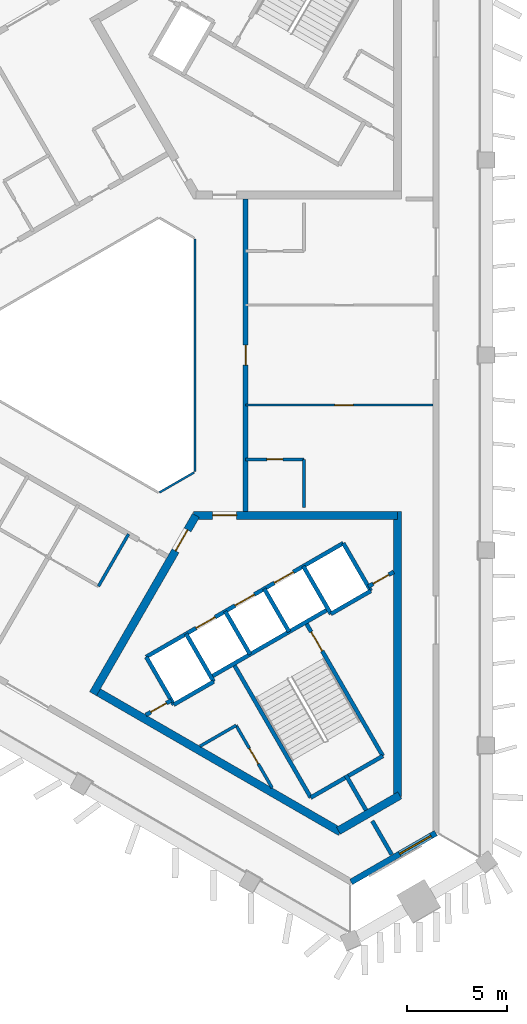
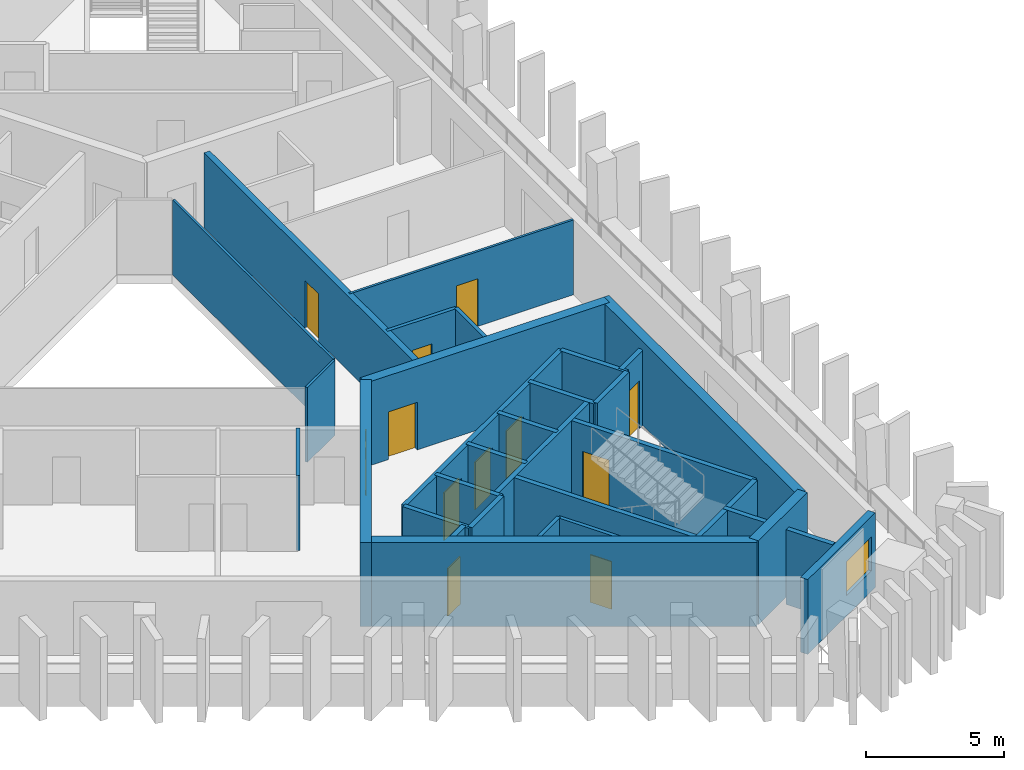
# One storey, part 3 of 9: 32 walls, 12 doors, 1 window, 13 openings.
"""IFC4 building model written with IfcOpenShell, lengths in metres."""

from ifc_helpers import new_model, si_unit, direction, frame, frame_2d, origin, place, context, subcontext, project, spatial, rectangle, extrude, material, layer, layer_set, type_object, element, fill, save


model = new_model("IFC4")

# Units and contexts
model_context = context("Model", 3, precision=1e-05, world=origin(), true_north=direction((0.0, 1.0)))
body_context = subcontext(model_context, "Body", "Model", "MODEL_VIEW")
ifc_project = project(units=[si_unit("LENGTHUNIT", "METRE"), si_unit("AREAUNIT", "SQUARE_METRE"), si_unit("VOLUMEUNIT", "CUBIC_METRE"), si_unit("PLANEANGLEUNIT", "RADIAN"), si_unit("MASSUNIT", "GRAM", prefix="KILO")], contexts=[model_context])

# Site, building, storey
site_placement = place(None, origin())
site = spatial("IfcSite", under=ifc_project, at=site_placement, CompositionType="ELEMENT")
building_placement = place(site_placement, origin())
building = spatial("IfcBuilding", under=site, at=building_placement, Name="Jabali Bay Hotel Tower and Convention Centre", CompositionType="ELEMENT")
storey_placement = place(building_placement, frame((0.0, 0.0, 273.800048828125)))
storey = spatial("IfcBuildingStorey", under=building, at=storey_placement, Name="L67", CompositionType="ELEMENT", Elevation=273.800048828125)

# Walls
ifc_material_1 = material(Name="Fire-resistant glazing", Category="glass")
ifc_layer_1 = layer(ifc_material_1, 0.10009765625)
ifc_layer_set_1 = layer_set([ifc_layer_1], Name="Fire-resistant glazing")
wall_type_1 = type_object("IfcWallType", Name="Atrium glazed screen 100", PredefinedType="PARTITIONING", material=ifc_layer_set_1)
wall_1_placement = place(storey_placement, frame((79.56005859375, 74.205810546875, 0.0), z_axis=(0.0, 0.0, 1.0), x_axis=(0.0, 1.0, 0.0)))
element("IfcWall", 1, at=wall_1_placement, inside=storey, type_object=wall_type_1, Name="Atrium screen 1 L67", PredefinedType="PARTITIONING", context=body_context, shape_type="SweptSolid", body=[
    extrude(rectangle(XDim=11.58837890625, YDim=0.10009765625, at=frame_2d((5.794189453125, 0.0))), origin(), (0.0, 0.0, 1.0), 3.300048828125),
])
wall_2_placement = place(storey_placement, frame((77.7978515625, 73.15380859375, 0.0), z_axis=(0.0, 0.0, 1.0), x_axis=(0.866041268327, 0.499972520799, 0.0)))
element("IfcWall", 2, at=wall_2_placement, inside=storey, type_object=wall_type_1, Name="Atrium screen 6 L67", PredefinedType="PARTITIONING", context=body_context, shape_type="SweptSolid", body=[
    extrude(rectangle(XDim=2.0, YDim=0.10009765625, at=frame_2d((1.0, 0.0))), origin(), (0.0, 0.0, 1.0), 3.300048828125),
])
ifc_material_2 = material(Name="Concrete C40", Category="concrete")
ifc_layer_2 = layer(ifc_material_2, 0.199951171875)
ifc_layer_set_2 = layer_set([ifc_layer_2], Name="Concrete C40")
wall_type_2 = type_object("IfcWallType", Name="Core partition wall 200", PredefinedType="PARTITIONING", material=ifc_layer_set_2)
wall_3_placement = place(storey_placement, frame((87.090087890625, 59.0595703125, 0.0), z_axis=(0.0, 0.0, 1.0), x_axis=(0.499941815747, -0.866058993873, 0.0)))
element("IfcWall", 3, at=wall_3_placement, inside=storey, type_object=wall_type_2, Name="Core wall 2.5 L67", PredefinedType="PARTITIONING", context=body_context, shape_type="SweptSolid", body=[
    extrude(rectangle(XDim=2.023193359375, YDim=0.199951171875, at=frame_2d((1.01171875, 0.0))), origin(), (0.0, 0.0, 1.0), 3.300048828125),
])

# Wall, opening, door
wall_4_placement = place(storey_placement, frame((77.119873046875, 62.055908203125, 0.0), z_axis=(0.0, 0.0, 1.0), x_axis=(0.866054810376, 0.49994906283, 0.0)))
wall_4 = element("IfcWall", 4, at=wall_4_placement, inside=storey, type_object=wall_type_2, Name="Core wall 2.12 L67", PredefinedType="PARTITIONING", context=body_context, shape_type="SweptSolid", body=[
    extrude(rectangle(XDim=1.461181640625, YDim=0.199951171875, at=frame_2d((0.73046875, 0.0))), origin(), (0.0, 0.0, 1.0), 3.300048828125),
])
opening_1_placement = place(wall_4_placement, frame((0.280517578125, 0.0, 0.0)))
opening_1 = element("IfcOpeningElement", 5, at=opening_1_placement, cuts=wall_4, Name="Opening D1488", PredefinedType="OPENING", context=body_context, shape_type="SweptSolid", body=[
    extrude(rectangle(XDim=0.89990234375, YDim=2.10009765625, at=frame_2d((0.449951171875, 1.050048828125))), frame((0.0, 0.1103515625, 0.0), z_axis=(0.0, -1.0, 0.0), x_axis=(1.0, 0.0, 0.0)), (0.0, 0.0, 1.0), 0.220947265625),
])
ifc_material_3 = material(Name="Fire-rated steel door", Category="steel")
door_type_1 = type_object("IfcDoorType", Name="Vestibule fire door 900 x 2100", OperationType="NOTDEFINED", PredefinedType="NOTDEFINED", material=ifc_material_3)
door_1_placement = place(opening_1_placement, origin())
door_1 = element("IfcDoor", 6, at=door_1_placement, inside=storey, type_object=door_type_1, Name="Vestibule fire door D1488", OperationType="SINGLE_SWING_LEFT", OverallHeight=2.10009765625, OverallWidth=0.89990234375, PredefinedType="NOTDEFINED", context=body_context, shape_type="SweptSolid", body=[
    extrude(rectangle(XDim=0.89990234375, YDim=2.10009765625, at=frame_2d((0.449951171875, 1.050048828125))), frame((0.0, 0.02490234375, 0.0), z_axis=(0.0, -1.0, 0.0), x_axis=(1.0, 0.0, 0.0)), (0.0, 0.0, 1.0), 0.050048828125),
])
fill(opening_1, door_1)

wall_5_placement = place(storey_placement, frame((88.214599609375, 68.46142578125, 0.0), z_axis=(0.0, 0.0, 1.0), x_axis=(0.865982457891, 0.500074377092, 0.0)))
wall_5 = element("IfcWall", 7, at=wall_5_placement, inside=storey, type_object=wall_type_2, Name="Core wall 2.13 L67", PredefinedType="PARTITIONING", context=body_context, shape_type="SweptSolid", body=[
    extrude(rectangle(XDim=1.461181640625, YDim=0.199951171875, at=frame_2d((0.73046875, 0.0))), origin(), (0.0, 0.0, 1.0), 3.300048828125),
])
opening_2_placement = place(wall_5_placement, frame((0.280517578125, 0.0, 0.0)))
opening_2 = element("IfcOpeningElement", 8, at=opening_2_placement, cuts=wall_5, Name="Opening D1487", PredefinedType="OPENING", context=body_context, shape_type="SweptSolid", body=[
    extrude(rectangle(XDim=0.89990234375, YDim=2.10009765625, at=frame_2d((0.449951171875, 1.050048828125))), frame((0.0, 0.1103515625, 0.0), z_axis=(0.0, -1.0, 0.0), x_axis=(1.0, 0.0, 0.0)), (0.0, 0.0, 1.0), 0.220947265625),
])
door_2_placement = place(opening_2_placement, origin())
door_2 = element("IfcDoor", 9, at=door_2_placement, inside=storey, type_object=door_type_1, Name="Vestibule fire door D1487", OperationType="SINGLE_SWING_LEFT", OverallHeight=2.10009765625, OverallWidth=0.89990234375, PredefinedType="NOTDEFINED", context=body_context, shape_type="SweptSolid", body=[
    extrude(rectangle(XDim=0.89990234375, YDim=2.10009765625, at=frame_2d((0.449951171875, 1.050048828125))), frame((0.0, 0.02490234375, 0.0), z_axis=(0.0, -1.0, 0.0), x_axis=(1.0, 0.0, 0.0)), (0.0, 0.0, 1.0), 0.050048828125),
])
fill(opening_2, door_2)

ifc_material_4 = material(Name="Fire-rated board partition")
ifc_layer_3 = layer(ifc_material_4, 0.14990234375)
ifc_layer_set_3 = layer_set([ifc_layer_3], Name="Fire-rated board partition")
wall_type_3 = type_object("IfcWallType", Name="Core room partition 150", PredefinedType="PARTITIONING", material=ifc_layer_set_3)
wall_6_placement = place(storey_placement, frame((81.618896484375, 61.53564453125, 0.0), z_axis=(0.0, 0.0, 1.0), x_axis=(0.499992664208, -0.866029639064, 0.0)))
wall_6 = element("IfcWall", 10, at=wall_6_placement, inside=storey, type_object=wall_type_3, Name="Core wall 2.1 L67", PredefinedType="PARTITIONING", context=body_context, shape_type="SweptSolid", body=[
    extrude(rectangle(XDim=3.59765625, YDim=0.14990234375, at=frame_2d((1.798828125, 0.0))), origin(), (0.0, 0.0, 1.0), 3.300048828125),
])
opening_3_placement = place(wall_6_placement, frame((1.321533203125, 0.0, 0.0)))
opening_3 = element("IfcOpeningElement", 11, at=opening_3_placement, cuts=wall_6, Name="Opening D1490", PredefinedType="OPENING", context=body_context, shape_type="SweptSolid", body=[
    extrude(rectangle(XDim=0.89990234375, YDim=2.10009765625, at=frame_2d((0.449951171875, 1.050048828125))), frame((0.0, 0.08544921875, 0.0), z_axis=(0.0, -1.0, 0.0), x_axis=(1.0, 0.0, 0.0)), (0.0, 0.0, 1.0), 0.1708984375),
])
door_type_2 = type_object("IfcDoorType", Name="Core room door 900 x 2100", OperationType="NOTDEFINED", PredefinedType="NOTDEFINED", material=ifc_material_3)
door_3_placement = place(opening_3_placement, origin())
door_3 = element("IfcDoor", 12, at=door_3_placement, inside=storey, type_object=door_type_2, Name="Core room door D1490", OperationType="SINGLE_SWING_LEFT", OverallHeight=2.10009765625, OverallWidth=0.89990234375, PredefinedType="NOTDEFINED", context=body_context, shape_type="SweptSolid", body=[
    extrude(rectangle(XDim=0.89990234375, YDim=2.10009765625, at=frame_2d((0.449951171875, 1.050048828125))), frame((0.0, 0.02490234375, 0.0), z_axis=(0.0, -1.0, 0.0), x_axis=(1.0, 0.0, 0.0)), (0.0, 0.0, 1.0), 0.050048828125),
])
fill(opening_3, door_3)

# Walls
wall_7_placement = place(storey_placement, frame((79.820068359375, 60.4970703125, 0.0), z_axis=(0.0, 0.0, 1.0), x_axis=(0.866021168401, 0.500007335828, 0.0)))
element("IfcWall", 13, at=wall_7_placement, inside=storey, type_object=wall_type_3, Name="Core wall 2.16 L67", PredefinedType="PARTITIONING", context=body_context, shape_type="SweptSolid", body=[
    extrude(rectangle(XDim=2.0771484375, YDim=0.14990234375, at=frame_2d((1.03857421875, 0.0))), origin(), (0.0, 0.0, 1.0), 3.300048828125),
])
ifc_layer_4 = layer(ifc_material_2, 0.199951171875)
ifc_layer_set_4 = layer_set([ifc_layer_4], Name="Concrete C40")
wall_type_4 = type_object("IfcWallType", Name="Core stair wall 200", PredefinedType="SOLIDWALL", material=ifc_layer_set_4)
for number, where, z_axis, x_axis, name in (
    (14, (77.13525390625, 64.95166015625, 0.0), (0.0, 0.0, 1.0), (0.499996545922, -0.866027397988, 0.0), "Core wall 2.0 L67"),
    (15, (79.127197265625, 66.1015625, 0.0), (0.0, 0.0, 1.0), (0.499996545922, -0.866027397988, 0.0), "Core wall 2.2 L67"),
):
    element("IfcWall", number, at=place(storey_placement, frame(where, z_axis=z_axis, x_axis=x_axis)), inside=storey, type_object=wall_type_4, Name=name, PredefinedType="SOLIDWALL", context=body_context, shape_type="SweptSolid", body=[
        extrude(rectangle(XDim=2.75, YDim=0.199951171875, at=frame_2d((1.375, 0.0))), origin(), (0.0, 0.0, 1.0), 3.300048828125),
    ])
wall_8_placement = place(storey_placement, frame((81.492919921875, 64.603759765625, 0.0), z_axis=(0.0, 0.0, 1.0), x_axis=(0.500006057782, -0.866021906294, 0.0)))
element("IfcWall", 16, at=wall_8_placement, inside=storey, type_object=wall_type_4, Name="Core wall 2.3 L67", PredefinedType="SOLIDWALL", context=body_context, shape_type="SweptSolid", body=[
    extrude(rectangle(XDim=7.7001953125, YDim=0.199951171875, at=frame_2d((3.85009765625, 0.0))), origin(), (0.0, 0.0, 1.0), 3.300048828125),
])
for number, where, z_axis, x_axis, name in (
    (17, (81.07568359375, 67.2265625, 0.0), (0.0, 0.0, 1.0), (0.50000366821, -0.866023285932, 0.0), "Core wall 2.4 L67"),
    (18, (83.024169921875, 68.3515625, 0.0), (0.0, 0.0, 1.0), (0.50000366821, -0.866023285932, 0.0), "Core wall 2.6 L67"),
):
    element("IfcWall", number, at=place(storey_placement, frame(where, z_axis=z_axis, x_axis=x_axis)), inside=storey, type_object=wall_type_4, Name=name, PredefinedType="SOLIDWALL", context=body_context, shape_type="SweptSolid", body=[
        extrude(rectangle(XDim=2.47998046875, YDim=0.199951171875, at=frame_2d((1.239990234375, 0.0))), origin(), (0.0, 0.0, 1.0), 3.300048828125),
    ])

# Wall, opening, door
wall_9_placement = place(storey_placement, frame((85.0869140625, 66.6787109375, 0.0), z_axis=(0.0, 0.0, 1.0), x_axis=(0.500019787375, -0.866013979237, 0.0)))
wall_9 = element("IfcWall", 19, at=wall_9_placement, inside=storey, type_object=wall_type_4, Name="Core wall 2.7 L67", PredefinedType="SOLIDWALL", context=body_context, shape_type="SweptSolid", body=[
    extrude(rectangle(XDim=7.699951171875, YDim=0.199951171875, at=frame_2d((3.85009765625, 0.0))), origin(), (0.0, 0.0, 1.0), 3.300048828125),
])
opening_4_placement = place(wall_9_placement, frame((0.550048828125, 0.0, 0.0)))
opening_4 = element("IfcOpeningElement", 20, at=opening_4_placement, cuts=wall_9, Name="Opening D1489", PredefinedType="OPENING", context=body_context, shape_type="SweptSolid", body=[
    extrude(rectangle(XDim=1.10009765625, YDim=2.10009765625, at=frame_2d((0.550048828125, 1.050048828125))), frame((0.0, 0.1103515625, 0.0), z_axis=(0.0, -1.0, 0.0), x_axis=(1.0, 0.0, 0.0)), (0.0, 0.0, 1.0), 0.220947265625),
])
door_type_3 = type_object("IfcDoorType", Name="Stair fire door 1100 x 2100", OperationType="NOTDEFINED", PredefinedType="NOTDEFINED", material=ifc_material_3)
door_4_placement = place(opening_4_placement, origin())
door_4 = element("IfcDoor", 21, at=door_4_placement, inside=storey, type_object=door_type_3, Name="Stair fire door D1489", OperationType="SINGLE_SWING_RIGHT", OverallHeight=2.10009765625, OverallWidth=1.10009765625, PredefinedType="NOTDEFINED", context=body_context, shape_type="SweptSolid", body=[
    extrude(rectangle(XDim=1.10009765625, YDim=2.10009765625, at=frame_2d((0.550048828125, 1.050048828125))), frame((0.0, 0.02490234375, 0.0), z_axis=(0.0, -1.0, 0.0), x_axis=(1.0, 0.0, 0.0)), (0.0, 0.0, 1.0), 0.050048828125),
])
fill(opening_4, door_4)

# Walls
for number, where, z_axis, x_axis, name in (
    (22, (84.972900390625, 69.4765625, 0.0), (0.0, 0.0, 1.0), (0.499996545922, -0.866027397988, 0.0), "Core wall 2.8 L67"),
    (23, (86.964599609375, 70.62646484375, 0.0), (0.0, 0.0, 1.0), (0.499996545922, -0.866027397988, 0.0), "Core wall 2.9 L67"),
):
    element("IfcWall", number, at=place(storey_placement, frame(where, z_axis=z_axis, x_axis=x_axis)), inside=storey, type_object=wall_type_4, Name=name, PredefinedType="SOLIDWALL", context=body_context, shape_type="SweptSolid", body=[
        extrude(rectangle(XDim=2.75, YDim=0.199951171875, at=frame_2d((1.375, 0.0))), origin(), (0.0, 0.0, 1.0), 3.300048828125),
    ])

# Wall, openings, doors
wall_10_placement = place(storey_placement, frame((77.13525390625, 64.95166015625, 0.0), z_axis=(0.0, 0.0, 1.0), x_axis=(0.866031916153, 0.499988720078, 0.0)))
wall_10 = element("IfcWall", 24, at=wall_10_placement, inside=storey, type_object=wall_type_4, Name="Core wall 2.10 L67", PredefinedType="SOLIDWALL", context=body_context, shape_type="SweptSolid", body=[
    extrude(rectangle(XDim=11.349853515625, YDim=0.199951171875, at=frame_2d((5.6748046875, 0.0))), origin(), (0.0, 0.0, 1.0), 3.300048828125),
])
opening_5_placement = place(wall_10_placement, frame((2.875, 0.0, 0.0)))
opening_5 = element("IfcOpeningElement", 25, at=opening_5_placement, cuts=wall_10, Name="Opening LD12-L67", PredefinedType="OPENING", context=body_context, shape_type="SweptSolid", body=[
    extrude(rectangle(XDim=1.10009765625, YDim=2.10009765625, at=frame_2d((0.550048828125, 1.050048828125))), frame((0.0, 0.1103515625, 0.0), z_axis=(0.0, -1.0, 0.0), x_axis=(1.0, 0.0, 0.0)), (0.0, 0.0, 1.0), 0.220947265625),
])
opening_6_placement = place(wall_10_placement, frame((5.125, 0.0, 0.0)))
opening_6 = element("IfcOpeningElement", 26, at=opening_6_placement, cuts=wall_10, Name="Opening LD13-L67", PredefinedType="OPENING", context=body_context, shape_type="SweptSolid", body=[
    extrude(rectangle(XDim=1.10009765625, YDim=2.10009765625, at=frame_2d((0.550048828125, 1.050048828125))), frame((0.0, 0.1103515625, 0.0), z_axis=(0.0, -1.0, 0.0), x_axis=(1.0, 0.0, 0.0)), (0.0, 0.0, 1.0), 0.220947265625),
])
opening_7_placement = place(wall_10_placement, frame((7.375, 0.0, 0.0)))
opening_7 = element("IfcOpeningElement", 27, at=opening_7_placement, cuts=wall_10, Name="Opening LD14-L67", PredefinedType="OPENING", context=body_context, shape_type="SweptSolid", body=[
    extrude(rectangle(XDim=1.10009765625, YDim=2.10009765625, at=frame_2d((0.550048828125, 1.050048828125))), frame((0.0, 0.1103515625, 0.0), z_axis=(0.0, -1.0, 0.0), x_axis=(1.0, 0.0, 0.0)), (0.0, 0.0, 1.0), 0.220947265625),
])
ifc_material_5 = material(Name="Stainless steel landing door", Category="steel")
door_type_4 = type_object("IfcDoorType", Name="Landing door 1100 x 2100", OperationType="NOTDEFINED", PredefinedType="NOTDEFINED", material=ifc_material_5)
door_5_placement = place(opening_5_placement, origin())
door_5 = element("IfcDoor", 28, at=door_5_placement, inside=storey, type_object=door_type_4, Name="Landing doors LD12-L67", OperationType="SLIDING_TO_LEFT", OverallHeight=2.10009765625, OverallWidth=1.10009765625, PredefinedType="NOTDEFINED", context=body_context, shape_type="SweptSolid", body=[
    extrude(rectangle(XDim=1.10009765625, YDim=2.10009765625, at=frame_2d((0.550048828125, 1.050048828125))), frame((0.0, 0.02490234375, 0.0), z_axis=(0.0, -1.0, 0.0), x_axis=(1.0, 0.0, 0.0)), (0.0, 0.0, 1.0), 0.050048828125),
])
fill(opening_5, door_5)
door_6_placement = place(opening_6_placement, origin())
door_6 = element("IfcDoor", 29, at=door_6_placement, inside=storey, type_object=door_type_4, Name="Landing doors LD13-L67", OperationType="SLIDING_TO_RIGHT", OverallHeight=2.10009765625, OverallWidth=1.10009765625, PredefinedType="NOTDEFINED", context=body_context, shape_type="SweptSolid", body=[
    extrude(rectangle(XDim=1.10009765625, YDim=2.10009765625, at=frame_2d((0.550048828125, 1.050048828125))), frame((0.0, 0.02490234375, 0.0), z_axis=(0.0, -1.0, 0.0), x_axis=(1.0, 0.0, 0.0)), (0.0, 0.0, 1.0), 0.050048828125),
])
fill(opening_6, door_6)
door_7_placement = place(opening_7_placement, origin())
door_7 = element("IfcDoor", 30, at=door_7_placement, inside=storey, type_object=door_type_4, Name="Landing doors LD14-L67", OperationType="SLIDING_TO_LEFT", OverallHeight=2.10009765625, OverallWidth=1.10009765625, PredefinedType="NOTDEFINED", context=body_context, shape_type="SweptSolid", body=[
    extrude(rectangle(XDim=1.10009765625, YDim=2.10009765625, at=frame_2d((0.550048828125, 1.050048828125))), frame((0.0, 0.02490234375, 0.0), z_axis=(0.0, -1.0, 0.0), x_axis=(1.0, 0.0, 0.0)), (0.0, 0.0, 1.0), 0.050048828125),
])
fill(opening_7, door_7)

# Walls
wall_11_placement = place(storey_placement, frame((80.3671875, 63.953857421875, 0.0), z_axis=(0.0, 0.0, 1.0), x_axis=(0.866026575979, 0.499997969693, 0.0)))
element("IfcWall", 31, at=wall_11_placement, inside=storey, type_object=wall_type_4, Name="Core wall 2.11 L67", PredefinedType="SOLIDWALL", context=body_context, shape_type="SweptSolid", body=[
    extrude(rectangle(XDim=6.75, YDim=0.199951171875, at=frame_2d((3.375, 0.0))), origin(), (0.0, 0.0, 1.0), 3.300048828125),
])
wall_12_placement = place(storey_placement, frame((78.51025390625, 62.570068359375, 0.0), z_axis=(0.0, 0.0, 1.0), x_axis=(0.866053019151, 0.499952165731, 0.0)))
element("IfcWall", 32, at=wall_12_placement, inside=storey, type_object=wall_type_4, Name="Core wall 2.14 L67", PredefinedType="SOLIDWALL", context=body_context, shape_type="SweptSolid", body=[
    extrude(rectangle(XDim=2.300048828125, YDim=0.199951171875, at=frame_2d((1.14990234375, 0.0))), origin(), (0.0, 0.0, 1.0), 3.300048828125),
])
wall_13_placement = place(storey_placement, frame((86.347900390625, 67.094970703125, 0.0), z_axis=(0.0, 0.0, 1.0), x_axis=(0.86602648383, 0.499998129301, 0.0)))
element("IfcWall", 33, at=wall_13_placement, inside=storey, type_object=wall_type_4, Name="Core wall 2.15 L67", PredefinedType="SOLIDWALL", context=body_context, shape_type="SweptSolid", body=[
    extrude(rectangle(XDim=2.2998046875, YDim=0.199951171875, at=frame_2d((1.14990234375, 0.0))), origin(), (0.0, 0.0, 1.0), 3.300048828125),
])
wall_14_placement = place(storey_placement, frame((85.343017578125, 57.935302734375, 0.0), z_axis=(0.0, 0.0, 1.0), x_axis=(0.866004344652, 0.500036473714, 0.0)))
element("IfcWall", 34, at=wall_14_placement, inside=storey, type_object=wall_type_4, Name="Core wall 2.17 L67", PredefinedType="SOLIDWALL", context=body_context, shape_type="SweptSolid", body=[
    extrude(rectangle(XDim=4.150146484375, YDim=0.199951171875, at=frame_2d((2.0751953125, 0.0))), origin(), (0.0, 0.0, 1.0), 3.300048828125),
])

# Wall, opening, door
ifc_material_6 = material(Name="Concrete C60", Category="concrete")
ifc_layer_5 = layer(ifc_material_6, 0.39990234375)
ifc_layer_set_5 = layer_set([ifc_layer_5], Name="Concrete C60")
wall_type_5 = type_object("IfcWallType", Name="Core wall 400", PredefinedType="SHEAR", material=ifc_layer_set_5)
wall_15_placement = place(storey_placement, frame((79.615478515625, 72.005859375, 0.0), z_axis=(0.0, 0.0, 1.0), x_axis=(-0.50000177223, -0.866024380585, 0.0)))
wall_15 = element("IfcWall", 35, at=wall_15_placement, inside=storey, type_object=wall_type_5, Name="Core wall 3.1 L67", PredefinedType="SHEAR", context=body_context, shape_type="SweptSolid", body=[
    extrude(rectangle(XDim=10.2646484375, YDim=0.39990234375, at=frame_2d((5.13232421875, 0.0))), origin(), (0.0, 0.0, 1.0), 3.699951171875),
])
opening_8_placement = place(wall_15_placement, frame((0.83447265625, 0.0, 0.0)))
opening_8 = element("IfcOpeningElement", 36, at=opening_8_placement, cuts=wall_15, Name="Opening D1485", PredefinedType="OPENING", context=body_context, shape_type="SweptSolid", body=[
    extrude(rectangle(XDim=1.199951171875, YDim=2.10009765625, at=frame_2d((0.60009765625, 1.050048828125))), frame((0.0, 0.21044921875, 0.0), z_axis=(0.0, -1.0, 0.0), x_axis=(1.0, 0.0, 0.0)), (0.0, 0.0, 1.0), 0.4208984375),
])
door_type_5 = type_object("IfcDoorType", Name="Corridor end fire door 1200 x 2100", OperationType="NOTDEFINED", PredefinedType="NOTDEFINED", material=ifc_material_3)
door_8_placement = place(opening_8_placement, origin())
door_8 = element("IfcDoor", 37, at=door_8_placement, inside=storey, type_object=door_type_5, Name="Corridor end fire door D1485", OperationType="SINGLE_SWING_RIGHT", OverallHeight=2.10009765625, OverallWidth=1.199951171875, PredefinedType="NOTDEFINED", context=body_context, shape_type="SweptSolid", body=[
    extrude(rectangle(XDim=1.199951171875, YDim=2.10009765625, at=frame_2d((0.60009765625, 1.050048828125))), frame((0.0, 0.02490234375, 0.0), z_axis=(0.0, -1.0, 0.0), x_axis=(1.0, 0.0, 0.0)), (0.0, 0.0, 1.0), 0.050048828125),
])
fill(opening_8, door_8)

# Walls
wall_16_placement = place(storey_placement, frame((74.583251953125, 63.28955078125, 0.0), z_axis=(0.0, 0.0, 1.0), x_axis=(0.866024494188, -0.500001575463, 0.0)))
element("IfcWall", 38, at=wall_16_placement, inside=storey, type_object=wall_type_5, Name="Core wall 3.2 L67", PredefinedType="SHEAR", context=body_context, shape_type="SweptSolid", body=[
    extrude(rectangle(XDim=14.13330078125, YDim=0.39990234375, at=frame_2d((7.066650390625, 0.0))), origin(), (0.0, 0.0, 1.0), 3.699951171875),
])
wall_17_placement = place(storey_placement, frame((86.72314453125, 56.28076171875, 0.0), z_axis=(0.0, 0.0, 1.0), x_axis=(0.866025485263, 0.499999858875, 0.0)))
element("IfcWall", 39, at=wall_17_placement, inside=storey, type_object=wall_type_5, Name="Core wall 3.3 L67", PredefinedType="SHEAR", context=body_context, shape_type="SweptSolid", body=[
    extrude(rectangle(XDim=3.52978515625, YDim=0.39990234375, at=frame_2d((1.764892578125, 0.0))), origin(), (0.0, 0.0, 1.0), 3.699951171875),
])
wall_18_placement = place(storey_placement, frame((89.679931640625, 57.98779296875, 0.0), z_axis=(0.0, 0.0, 1.0), x_axis=(0.0, 1.0, 0.0)))
element("IfcWall", 40, at=wall_18_placement, inside=storey, type_object=wall_type_5, Name="Core wall 3.4 L67", PredefinedType="SHEAR", context=body_context, shape_type="SweptSolid", body=[
    extrude(rectangle(XDim=14.218017578125, YDim=0.39990234375, at=frame_2d((7.10888671875, 0.0))), origin(), (0.0, 0.0, 1.0), 3.699951171875),
])

# Wall, opening, door
wall_19_placement = place(storey_placement, frame((89.679931640625, 72.005859375, 0.0), z_axis=(0.0, 0.0, 1.0), x_axis=(-1.0, 0.0, 0.0)))
wall_19 = element("IfcWall", 41, at=wall_19_placement, inside=storey, type_object=wall_type_5, Name="Core wall 3.5 L67", PredefinedType="SHEAR", context=body_context, shape_type="SweptSolid", body=[
    extrude(rectangle(XDim=10.179931640625, YDim=0.39990234375, at=frame_2d((5.08984375, 0.0))), origin(), (0.0, 0.0, 1.0), 3.699951171875),
])
opening_9_placement = place(wall_19_placement, frame((8.030029296875, 0.0, 0.0)))
opening_9 = element("IfcOpeningElement", 42, at=opening_9_placement, cuts=wall_19, Name="Opening D1486", PredefinedType="OPENING", context=body_context, shape_type="SweptSolid", body=[
    extrude(rectangle(XDim=1.199951171875, YDim=2.10009765625, at=frame_2d((0.60009765625, 1.050048828125))), frame((0.0, 0.21044921875, 0.0), z_axis=(0.0, -1.0, 0.0), x_axis=(1.0, 0.0, 0.0)), (0.0, 0.0, 1.0), 0.4208984375),
])
door_9_placement = place(opening_9_placement, origin())
door_9 = element("IfcDoor", 43, at=door_9_placement, inside=storey, type_object=door_type_5, Name="Corridor end fire door D1486", OperationType="SINGLE_SWING_LEFT", OverallHeight=2.10009765625, OverallWidth=1.199951171875, PredefinedType="NOTDEFINED", context=body_context, shape_type="SweptSolid", body=[
    extrude(rectangle(XDim=1.199951171875, YDim=2.10009765625, at=frame_2d((0.60009765625, 1.050048828125))), frame((0.0, 0.02490234375, 0.0), z_axis=(0.0, -1.0, 0.0), x_axis=(1.0, 0.0, 0.0)), (0.0, 0.0, 1.0), 0.050048828125),
])
fill(opening_9, door_9)

ifc_layer_6 = layer(ifc_material_6, 0.25)
ifc_layer_set_6 = layer_set([ifc_layer_6], Name="Concrete C60")
wall_type_6 = type_object("IfcWallType", Name="Corridor wall 250", PredefinedType="SHEAR", material=ifc_layer_set_6)
wall_20_placement = place(storey_placement, frame((82.10009765625, 72.205810546875, 0.0), z_axis=(0.0, 0.0, 1.0), x_axis=(0.0, 1.0, 0.0)))
wall_20 = element("IfcWall", 44, at=wall_20_placement, inside=storey, type_object=wall_type_6, Name="Corridor wall 1 L67", PredefinedType="SHEAR", context=body_context, shape_type="SweptSolid", body=[
    extrude(rectangle(XDim=15.58837890625, YDim=0.25, at=frame_2d((7.794189453125, 0.0))), origin(), (0.0, 0.0, 1.0), 3.300048828125),
])
opening_10_placement = place(wall_20_placement, frame((7.294189453125, 0.0, 0.0)))
opening_10 = element("IfcOpeningElement", 45, at=opening_10_placement, cuts=wall_20, Name="Opening 6705", PredefinedType="OPENING", context=body_context, shape_type="SweptSolid", body=[
    extrude(rectangle(XDim=1.0, YDim=2.10009765625, at=frame_2d((0.5, 1.050048828125))), frame((0.0, 0.135498046875, 0.0), z_axis=(0.0, -1.0, 0.0), x_axis=(1.0, 0.0, 0.0)), (0.0, 0.0, 1.0), 0.27099609375),
])
ifc_material_7 = material(Name="Timber", Category="wood")
door_type_6 = type_object("IfcDoorType", Name="Guest room door 1000 x 2100", OperationType="NOTDEFINED", PredefinedType="NOTDEFINED", material=ifc_material_7)
door_10_placement = place(opening_10_placement, origin())
door_10 = element("IfcDoor", 46, at=door_10_placement, inside=storey, type_object=door_type_6, Name="Door 6705", OperationType="SINGLE_SWING_RIGHT", OverallHeight=2.10009765625, OverallWidth=1.0, PredefinedType="NOTDEFINED", context=body_context, shape_type="SweptSolid", body=[
    extrude(rectangle(XDim=1.0, YDim=2.10009765625, at=frame_2d((0.5, 1.050048828125))), frame((0.0, 0.02490234375, 0.0), z_axis=(0.0, -1.0, 0.0), x_axis=(1.0, 0.0, 0.0)), (0.0, 0.0, 1.0), 0.050048828125),
])
fill(opening_10, door_10)

# Wall, opening, window
ifc_layer_7 = layer(ifc_material_2, 0.300048828125)
ifc_layer_set_7 = layer_set([ifc_layer_7], Name="Concrete C40")
wall_type_7 = type_object("IfcWallType", Name="External wall 300", PredefinedType="SOLIDWALL", material=ifc_layer_set_7)
wall_21_placement = place(storey_placement, frame((91.577880859375, 56.162841796875, 0.0), z_axis=(0.0, 0.0, 1.0), x_axis=(-0.866003832159, -0.50003736129, 0.0)))
wall_21 = element("IfcWall", 47, at=wall_21_placement, inside=storey, type_object=wall_type_7, Name="External wall south-east chamfer L67", PredefinedType="SOLIDWALL", context=body_context, shape_type="SweptSolid", body=[
    extrude(rectangle(XDim=4.876708984375, YDim=0.300048828125, at=frame_2d((2.4384765625, 0.0))), origin(), (0.0, 0.0, 1.0), 3.300048828125),
])
opening_11_placement = place(wall_21_placement, frame((0.27587890625, 0.0, 0.89990234375)))
opening_11 = element("IfcOpeningElement", 48, at=opening_11_placement, cuts=wall_21, Name="Opening W1", PredefinedType="OPENING", context=body_context, shape_type="SweptSolid", body=[
    extrude(rectangle(XDim=1.800048828125, YDim=1.5, at=frame_2d((0.89990234375, 0.75))), frame((0.0, 0.16064453125, 0.0), z_axis=(0.0, -1.0, 0.0), x_axis=(1.0, 0.0, 0.0)), (0.0, 0.0, 1.0), 0.321044921875),
])
ifc_material_8 = material(Name="Glass", Category="glass")
window_type = type_object("IfcWindowType", Name="Window 1800 x 1500", PartitioningType="SINGLE_PANEL", PredefinedType="WINDOW", material=ifc_material_8)
window_placement = place(opening_11_placement, origin())
window = element("IfcWindow", 49, at=window_placement, inside=storey, type_object=window_type, Name="Window", OverallHeight=1.5, OverallWidth=1.800048828125, PartitioningType="SINGLE_PANEL", PredefinedType="WINDOW", context=body_context, shape_type="SweptSolid", body=[
    extrude(rectangle(XDim=1.800048828125, YDim=1.5, at=frame_2d((0.89990234375, 0.75))), frame((0.0, 0.030029296875, 0.0), z_axis=(0.0, -1.0, 0.0), x_axis=(1.0, 0.0, 0.0)), (0.0, 0.0, 1.0), 0.06005859375),
])
fill(opening_11, window)

# Wall, opening, door
ifc_material_9 = material(Name="Plasterboard on steel stud", Category="steel")
ifc_layer_8 = layer(ifc_material_9, 0.10009765625)
ifc_layer_set_8 = layer_set([ifc_layer_8], Name="Plasterboard on steel stud")
wall_type_8 = type_object("IfcWallType", Name="Partition 100 unit", PredefinedType="PARTITIONING", material=ifc_layer_set_8)
wall_22_placement = place(storey_placement, frame((91.427978515625, 77.505859375, 0.0), z_axis=(0.0, 0.0, 1.0), x_axis=(-1.0, 0.0, 0.0)))
wall_22 = element("IfcWall", 50, at=wall_22_placement, inside=storey, type_object=wall_type_8, Name="Partition P02 L67 001", PredefinedType="PARTITIONING", context=body_context, shape_type="SweptSolid", body=[
    extrude(rectangle(XDim=9.327880859375, YDim=0.10009765625, at=frame_2d((4.6640625, 0.0))), origin(), (0.0, 0.0, 1.0), 3.300048828125),
])
opening_12_placement = place(wall_22_placement, frame((3.97802734375, 0.0, 0.0)))
opening_12 = element("IfcOpeningElement", 51, at=opening_12_placement, cuts=wall_22, Name="Opening 6703", PredefinedType="OPENING", context=body_context, shape_type="SweptSolid", body=[
    extrude(rectangle(XDim=0.89990234375, YDim=2.10009765625, at=frame_2d((0.449951171875, 1.050048828125))), frame((0.0, 0.060546875, 0.0), z_axis=(0.0, -1.0, 0.0), x_axis=(1.0, 0.0, 0.0)), (0.0, 0.0, 1.0), 0.12109375),
])
door_type_7 = type_object("IfcDoorType", Name="Internal door 900 x 2100", OperationType="NOTDEFINED", PredefinedType="NOTDEFINED", material=ifc_material_7)
door_11_placement = place(opening_12_placement, origin())
door_11 = element("IfcDoor", 52, at=door_11_placement, inside=storey, type_object=door_type_7, Name="Door 6703", OperationType="SINGLE_SWING_RIGHT", OverallHeight=2.10009765625, OverallWidth=0.89990234375, PredefinedType="NOTDEFINED", context=body_context, shape_type="SweptSolid", body=[
    extrude(rectangle(XDim=0.89990234375, YDim=2.10009765625, at=frame_2d((0.449951171875, 1.050048828125))), frame((0.0, 0.02490234375, 0.0), z_axis=(0.0, -1.0, 0.0), x_axis=(1.0, 0.0, 0.0)), (0.0, 0.0, 1.0), 0.050048828125),
])
fill(opening_12, door_11)

ifc_layer_9 = layer(ifc_material_9, 0.14990234375)
ifc_layer_set_9 = layer_set([ifc_layer_9], Name="Plasterboard on steel stud")
wall_type_9 = type_object("IfcWallType", Name="Partition 150 wet", PredefinedType="PARTITIONING", material=ifc_layer_set_9)
wall_23_placement = place(storey_placement, frame((82.10009765625, 74.8056640625, 0.0), z_axis=(0.0, 0.0, 1.0), x_axis=(1.0, 0.0, 0.0)))
wall_23 = element("IfcWall", 53, at=wall_23_placement, inside=storey, type_object=wall_type_9, Name="Partition P03 L67 002", PredefinedType="PARTITIONING", context=body_context, shape_type="SweptSolid", body=[
    extrude(rectangle(XDim=2.89990234375, YDim=0.14990234375, at=frame_2d((1.449951171875, 0.0))), origin(), (0.0, 0.0, 1.0), 3.300048828125),
])
opening_13_placement = place(wall_23_placement, frame((1.050048828125, 0.0, 0.0)))
opening_13 = element("IfcOpeningElement", 54, at=opening_13_placement, cuts=wall_23, Name="Opening 6701", PredefinedType="OPENING", context=body_context, shape_type="SweptSolid", body=[
    extrude(rectangle(XDim=0.800048828125, YDim=2.10009765625, at=frame_2d((0.39990234375, 1.050048828125))), frame((0.0, 0.08544921875, 0.0), z_axis=(0.0, -1.0, 0.0), x_axis=(1.0, 0.0, 0.0)), (0.0, 0.0, 1.0), 0.1708984375),
])
door_type_8 = type_object("IfcDoorType", Name="En-suite door 800 x 2100", OperationType="NOTDEFINED", PredefinedType="NOTDEFINED", material=ifc_material_7)
door_12_placement = place(opening_13_placement, origin())
door_12 = element("IfcDoor", 55, at=door_12_placement, inside=storey, type_object=door_type_8, Name="Door 6701", OperationType="SINGLE_SWING_LEFT", OverallHeight=2.10009765625, OverallWidth=0.800048828125, PredefinedType="NOTDEFINED", context=body_context, shape_type="SweptSolid", body=[
    extrude(rectangle(XDim=0.800048828125, YDim=2.10009765625, at=frame_2d((0.39990234375, 1.050048828125))), frame((0.0, 0.02490234375, 0.0), z_axis=(0.0, -1.0, 0.0), x_axis=(1.0, 0.0, 0.0)), (0.0, 0.0, 1.0), 0.050048828125),
])
fill(opening_13, door_12)

# Walls
wall_24_placement = place(storey_placement, frame((85.0, 74.8056640625, 0.0), z_axis=(0.0, 0.0, 1.0), x_axis=(0.0, -1.0, 0.0)))
element("IfcWall", 56, at=wall_24_placement, inside=storey, type_object=wall_type_9, Name="Partition P03 L67 003", PredefinedType="PARTITIONING", context=body_context, shape_type="SweptSolid", body=[
    extrude(rectangle(XDim=2.39990234375, YDim=0.14990234375, at=frame_2d((1.199951171875, 0.0))), origin(), (0.0, 0.0, 1.0), 3.300048828125),
])
wall_25_placement = place(storey_placement, frame((76.256591796875, 71.076171875, 0.0), z_axis=(0.0, 0.0, 1.0), x_axis=(-0.499990139034, -0.866031096941, 0.0)))
element("IfcWall", 57, at=wall_25_placement, inside=storey, type_object=wall_type_9, Name="Partition P03 L67 025", PredefinedType="PARTITIONING", context=body_context, shape_type="SweptSolid", body=[
    extrude(rectangle(XDim=3.0, YDim=0.14990234375, at=frame_2d((1.5, 0.0))), origin(), (0.0, 0.0, 1.0), 3.300048828125),
])
ifc_layer_10 = layer(ifc_material_9, 0.199951171875)
ifc_layer_set_10 = layer_set([ifc_layer_10], Name="Plasterboard on steel stud")
wall_type_10 = type_object("IfcWallType", Name="Partition 200 party", PredefinedType="PARTITIONING", material=ifc_layer_set_10)
wall_26_placement = place(storey_placement, frame((88.412353515625, 56.77099609375, 0.0), z_axis=(0.0, 0.0, 1.0), x_axis=(0.49998396455, -0.866034661658, 0.0)))
element("IfcWall", 58, at=wall_26_placement, inside=storey, type_object=wall_type_10, Name="Partition P01 L67 004", PredefinedType="PARTITIONING", context=body_context, shape_type="SweptSolid", body=[
    extrude(rectangle(XDim=1.939453125, YDim=0.199951171875, at=frame_2d((0.9697265625, 0.0))), origin(), (0.0, 0.0, 1.0), 3.300048828125),
])

save(model, "model.ifc")
